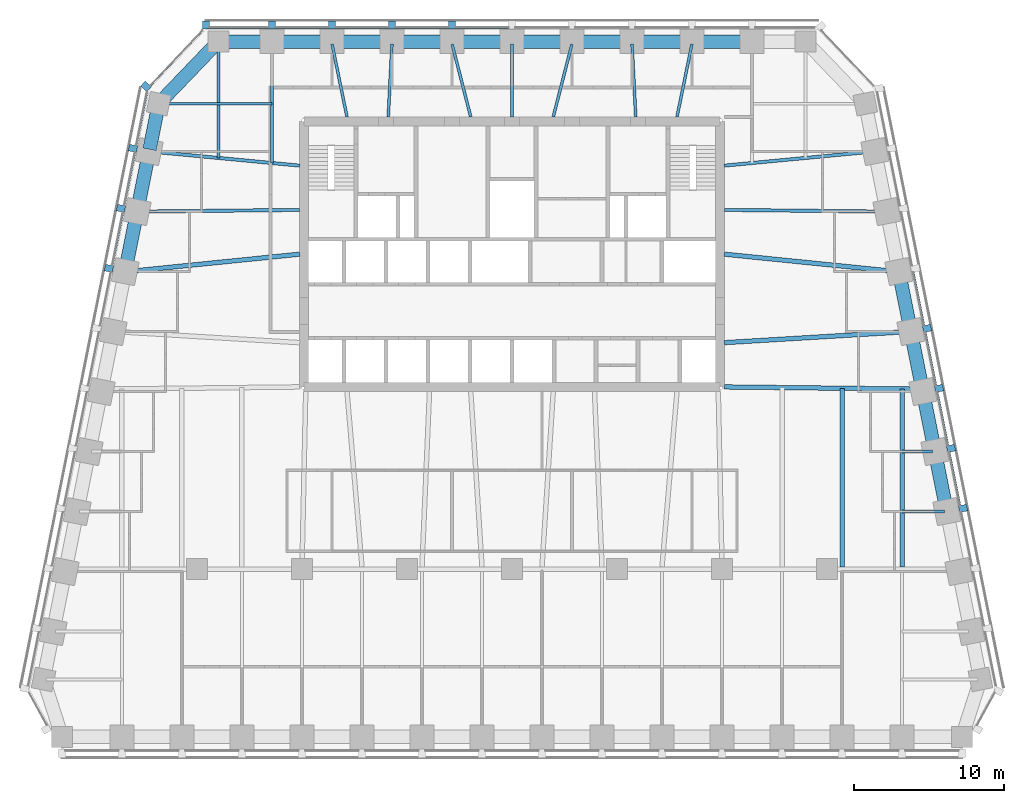
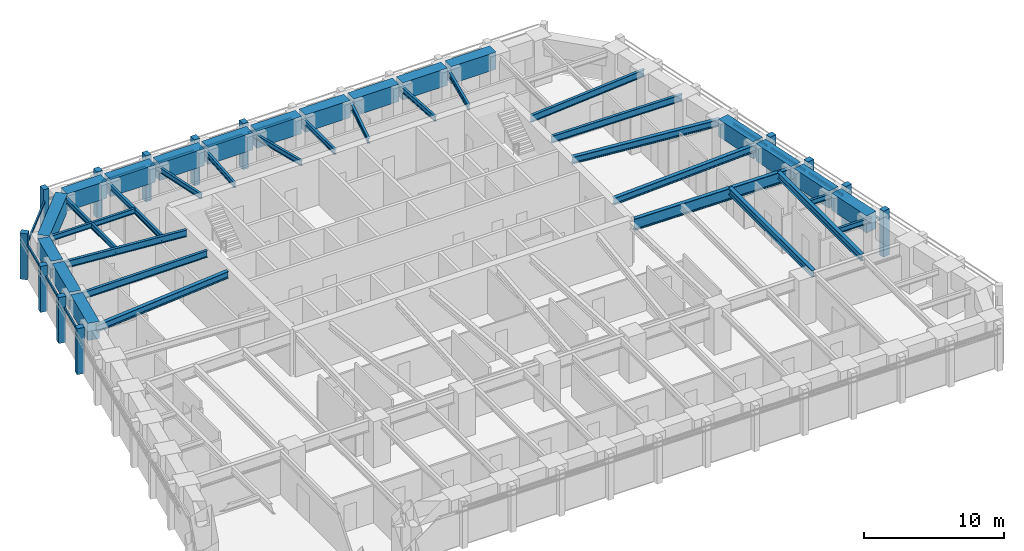
# One storey, part 3 of 11: 39 beams, 26 members, 4 elements without a shape of their own.
"""IFC4 building model written with IfcOpenShell, lengths in metres."""

from ifc_helpers import new_model, si_unit, direction, frame, origin, origin_2d, place, context, subcontext, project, spatial, rectangle, i_section, extrude, material, material_profile, profile_set, type_object, element, aggregate, save


model = new_model("IFC4")

# Units and contexts
model_context = context("Model", 3, precision=1e-05, world=origin(), true_north=direction((0.0, 1.0)))
body_context = subcontext(model_context, "Body", "Model", "MODEL_VIEW")
ifc_project = project(units=[si_unit("LENGTHUNIT", "METRE"), si_unit("AREAUNIT", "SQUARE_METRE"), si_unit("VOLUMEUNIT", "CUBIC_METRE"), si_unit("PLANEANGLEUNIT", "RADIAN"), si_unit("MASSUNIT", "GRAM", prefix="KILO")], contexts=[model_context])

# Site, building, storey
site_placement = place(None, origin())
site = spatial("IfcSite", under=ifc_project, at=site_placement, CompositionType="ELEMENT")
building_placement = place(site_placement, origin())
building = spatial("IfcBuilding", under=site, at=building_placement, Name="Isbrekke Arena Tower", CompositionType="ELEMENT")
storey_placement = place(building_placement, frame((0.0, 0.0, 210.0)))
storey = spatial("IfcBuildingStorey", under=building, at=storey_placement, Name="L48", CompositionType="ELEMENT", Elevation=210.0)

# Beams
ifc_material_1 = material(Name="Steel S355", Category="steel")
ifc_material_profile_1 = material_profile(ifc_material_1, i_section(OverallWidth=0.219970703125, OverallDepth=0.60009765625, WebThickness=0.011962890625, FlangeThickness=0.01904296875, FilletRadius=0.02392578125, at=origin_2d()), Name="IPE 600")
ifc_profile_set_1 = profile_set([ifc_material_profile_1], Name="Steel S355")
beam_type_1 = type_object("IfcBeamType", Name="B1 IPE 600", PredefinedType="BEAM", material=ifc_profile_set_1)
beam_1_placement = place(storey_placement, frame((24.83984375, 17.838134765625, 3.550048828125), z_axis=(-0.999945299061, 0.010459392202, 0.0), x_axis=(-0.010459392202, -0.999945299061, 0.0)))
element("IfcBeam", 1, at=beam_1_placement, inside=storey, type_object=beam_type_1, Name="B1 beam E-E09 L48", PredefinedType="BEAM", context=body_context, shape_type="SweptSolid", body=[
    extrude(i_section(OverallWidth=0.219970703125, OverallDepth=0.60009765625, WebThickness=0.011962890625, FlangeThickness=0.01904296875, FilletRadius=0.02392578125, at=origin_2d()), origin(), (0.0, 0.0, 1.0), 10.6904296875),
])
for number, where, z_axis, x_axis, name in (
    (2, (24.03076171875, 21.837158203125, 3.550048828125), (-0.99553133081, -0.094431823952, 0.0), (0.094431823952, -0.99553133081, 0.0), "B1 beam E-E10 L48"),
    (3, (-24.03076171875, 21.837158203125, 3.550048828125), (0.99553133081, -0.094431823952, 0.0), (0.094431823952, 0.99553133081, 0.0), "B1 beam E-W02 L48"),
):
    element("IfcBeam", number, at=place(storey_placement, frame(where, z_axis=z_axis, x_axis=x_axis)), inside=storey, type_object=beam_type_1, Name=name, PredefinedType="BEAM", context=body_context, shape_type="SweptSolid", body=[
        extrude(i_section(OverallWidth=0.219970703125, OverallDepth=0.60009765625, WebThickness=0.011962890625, FlangeThickness=0.01904296875, FilletRadius=0.02392578125, at=origin_2d()), origin(), (0.0, 0.0, 1.0), 9.92529296875),
    ])
beam_2_placement = place(storey_placement, frame((-24.83984375, 17.838134765625, 3.550048828125), z_axis=(0.999945299061, 0.010459392202, 0.0), x_axis=(-0.010459392202, 0.999945299061, 0.0)))
element("IfcBeam", 4, at=beam_2_placement, inside=storey, type_object=beam_type_1, Name="B1 beam E-W03 L48", PredefinedType="BEAM", context=body_context, shape_type="SweptSolid", body=[
    extrude(i_section(OverallWidth=0.219970703125, OverallDepth=0.60009765625, WebThickness=0.011962890625, FlangeThickness=0.01904296875, FilletRadius=0.02392578125, at=origin_2d()), origin(), (0.0, 0.0, 1.0), 10.6904296875),
])
ifc_material_2 = material(Name="Steel S355", Category="steel")
ifc_material_profile_2 = material_profile(ifc_material_2, i_section(OverallWidth=0.18994140625, OverallDepth=0.449951171875, WebThickness=0.009521484375, FlangeThickness=0.0146484375, FilletRadius=0.02099609375, at=origin_2d()), Name="IPE 450")
ifc_profile_set_2 = profile_set([ifc_material_profile_2], Name="Steel S355")
beam_type_2 = type_object("IfcBeamType", Name="B2 IPE 450", PredefinedType="BEAM", material=ifc_profile_set_2)
beam_3_placement = place(storey_placement, frame((28.841064453125, -2.161865234375, 3.625), z_axis=(-1.0, 0.0, 0.0), x_axis=(0.0, -1.0, 0.0)))
element("IfcBeam", 5, at=beam_3_placement, inside=storey, type_object=beam_type_2, Name="B2 beam E-E04 L48", PredefinedType="BEAM", context=body_context, shape_type="SweptSolid", body=[
    extrude(i_section(OverallWidth=0.18994140625, OverallDepth=0.449951171875, WebThickness=0.009521484375, FlangeThickness=0.0146484375, FilletRadius=0.02099609375, at=origin_2d()), origin(), (0.0, 0.0, 1.0), 2.841064453125),
])
beam_4_placement = place(storey_placement, frame((28.041015625, 1.838134765625, 3.625), z_axis=(-1.0, 0.0, 0.0), x_axis=(0.0, -1.0, 0.0)))
element("IfcBeam", 6, at=beam_4_placement, inside=storey, type_object=beam_type_2, Name="B2 beam E-E05 L48", PredefinedType="BEAM", context=body_context, shape_type="SweptSolid", body=[
    extrude(i_section(OverallWidth=0.18994140625, OverallDepth=0.449951171875, WebThickness=0.009521484375, FlangeThickness=0.0146484375, FilletRadius=0.02099609375, at=origin_2d()), origin(), (0.0, 0.0, 1.0), 2.041015625),
])
beam_5_placement = place(storey_placement, frame((-23.40283203125, 25.029296875, 3.625), z_axis=(1.0, 0.0, 0.0), x_axis=(0.0, 1.0, 0.0)))
element("IfcBeam", 7, at=beam_5_placement, inside=storey, type_object=beam_type_2, Name="B2 beam E-W01 L48", PredefinedType="BEAM", context=body_context, shape_type="SweptSolid", body=[
    extrude(i_section(OverallWidth=0.18994140625, OverallDepth=0.449951171875, WebThickness=0.009521484375, FlangeThickness=0.0146484375, FilletRadius=0.02099609375, at=origin_2d()), origin(), (0.0, 0.0, 1.0), 7.40283203125),
])
ifc_material_3 = material(Name="Steel S355", Category="steel")
ifc_material_profile_3 = material_profile(ifc_material_3, i_section(OverallWidth=0.18994140625, OverallDepth=0.449951171875, WebThickness=0.009521484375, FlangeThickness=0.0146484375, FilletRadius=0.02099609375, at=origin_2d()), Name="IPE 450")
ifc_profile_set_3 = profile_set([ifc_material_profile_3], Name="Steel S355")
beam_type_3 = type_object("IfcBeamType", Name="B3 IPE 450", PredefinedType="BEAM", material=ifc_profile_set_3)
beam_6_placement = place(storey_placement, frame((-16.0, 29.02490234375, 3.625), z_axis=(0.0, -1.0, 0.0), x_axis=(1.0, 0.0, 0.0)))
element("IfcBeam", 8, at=beam_6_placement, inside=storey, type_object=beam_type_3, Name="B3 beam N-N10 L48", PredefinedType="BEAM", context=body_context, shape_type="SweptSolid", body=[
    extrude(i_section(OverallWidth=0.18994140625, OverallDepth=0.449951171875, WebThickness=0.009521484375, FlangeThickness=0.0146484375, FilletRadius=0.02099609375, at=origin_2d()), origin(), (0.0, 0.0, 1.0), 7.949462890625),
])
beam_7_placement = place(storey_placement, frame((-19.574951171875, 29.02490234375, 3.625), z_axis=(0.0, -1.0, 0.0), x_axis=(1.0, 0.0, 0.0)))
element("IfcBeam", 9, at=beam_7_placement, inside=storey, type_object=beam_type_3, Name="B3 beam N-N11 L48", PredefinedType="BEAM", context=body_context, shape_type="SweptSolid", body=[
    extrude(i_section(OverallWidth=0.18994140625, OverallDepth=0.449951171875, WebThickness=0.009521484375, FlangeThickness=0.0146484375, FilletRadius=0.02099609375, at=origin_2d()), origin(), (0.0, 0.0, 1.0), 7.6103515625),
])
beam_8_placement = place(storey_placement, frame((11.99609375, 29.00634765625, 3.625), z_axis=(-0.200924755878, -0.979606677435, 0.0), x_axis=(0.979606677435, -0.200924755878, 0.0)))
element("IfcBeam", 10, at=beam_8_placement, inside=storey, type_object=beam_type_3, Name="B3 beam N-N03 L48", PredefinedType="BEAM", context=body_context, shape_type="SweptSolid", body=[
    extrude(i_section(OverallWidth=0.18994140625, OverallDepth=0.449951171875, WebThickness=0.009521484375, FlangeThickness=0.0146484375, FilletRadius=0.02099609375, at=origin_2d()), origin(), (0.0, 0.0, 1.0), 4.95751953125),
])
beam_9_placement = place(storey_placement, frame((8.000244140625, 29.02001953125, 3.625), z_axis=(0.051216032312, -0.998687597817, 0.0), x_axis=(0.998687597817, 0.051216032312, 0.0)))
element("IfcBeam", 11, at=beam_9_placement, inside=storey, type_object=beam_type_3, Name="B3 beam N-N04 L48", PredefinedType="BEAM", context=body_context, shape_type="SweptSolid", body=[
    extrude(i_section(OverallWidth=0.18994140625, OverallDepth=0.449951171875, WebThickness=0.009521484375, FlangeThickness=0.0146484375, FilletRadius=0.02099609375, at=origin_2d()), origin(), (0.0, 0.0, 1.0), 4.87646484375),
])
beam_10_placement = place(storey_placement, frame((3.994140625, 29.002197265625, 3.625), z_axis=(-0.248368314686, -0.968665670012, 0.0), x_axis=(0.968665670012, -0.248368314686, 0.0)))
element("IfcBeam", 12, at=beam_10_placement, inside=storey, type_object=beam_type_3, Name="B3 beam N-N05 L48", PredefinedType="BEAM", context=body_context, shape_type="SweptSolid", body=[
    extrude(i_section(OverallWidth=0.18994140625, OverallDepth=0.449951171875, WebThickness=0.009521484375, FlangeThickness=0.0146484375, FilletRadius=0.02099609375, at=origin_2d()), origin(), (0.0, 0.0, 1.0), 5.00927734375),
])
beam_11_placement = place(storey_placement, frame((0.0, 29.02490234375, 3.625), z_axis=(0.0, -1.0, 0.0), x_axis=(1.0, 0.0, 0.0)))
element("IfcBeam", 13, at=beam_11_placement, inside=storey, type_object=beam_type_3, Name="B3 beam N-N06 L48", PredefinedType="BEAM", context=body_context, shape_type="SweptSolid", body=[
    extrude(i_section(OverallWidth=0.18994140625, OverallDepth=0.449951171875, WebThickness=0.009521484375, FlangeThickness=0.0146484375, FilletRadius=0.02099609375, at=origin_2d()), origin(), (0.0, 0.0, 1.0), 4.875),
])
beam_12_placement = place(storey_placement, frame((-3.994140625, 29.002197265625, 3.625), z_axis=(0.248368314686, -0.968665670012, 0.0), x_axis=(0.968665670012, 0.248368314686, 0.0)))
element("IfcBeam", 14, at=beam_12_placement, inside=storey, type_object=beam_type_3, Name="B3 beam N-N07 L48", PredefinedType="BEAM", context=body_context, shape_type="SweptSolid", body=[
    extrude(i_section(OverallWidth=0.18994140625, OverallDepth=0.449951171875, WebThickness=0.009521484375, FlangeThickness=0.0146484375, FilletRadius=0.02099609375, at=origin_2d()), origin(), (0.0, 0.0, 1.0), 5.00927734375),
])
beam_13_placement = place(storey_placement, frame((-8.000244140625, 29.02001953125, 3.625), z_axis=(-0.051216032312, -0.998687597817, 0.0), x_axis=(0.998687597817, -0.051216032312, 0.0)))
element("IfcBeam", 15, at=beam_13_placement, inside=storey, type_object=beam_type_3, Name="B3 beam N-N08 L48", PredefinedType="BEAM", context=body_context, shape_type="SweptSolid", body=[
    extrude(i_section(OverallWidth=0.18994140625, OverallDepth=0.449951171875, WebThickness=0.009521484375, FlangeThickness=0.0146484375, FilletRadius=0.02099609375, at=origin_2d()), origin(), (0.0, 0.0, 1.0), 4.87646484375),
])
beam_14_placement = place(storey_placement, frame((-11.99609375, 29.00634765625, 3.625), z_axis=(0.200924755878, -0.979606677435, 0.0), x_axis=(0.979606677435, 0.200924755878, 0.0)))
element("IfcBeam", 16, at=beam_14_placement, inside=storey, type_object=beam_type_3, Name="B3 beam N-N09 L48", PredefinedType="BEAM", context=body_context, shape_type="SweptSolid", body=[
    extrude(i_section(OverallWidth=0.18994140625, OverallDepth=0.449951171875, WebThickness=0.009521484375, FlangeThickness=0.0146484375, FilletRadius=0.02099609375, at=origin_2d()), origin(), (0.0, 0.0, 1.0), 4.95751953125),
])
ifc_material_4 = material(Name="Steel S355", Category="steel")
ifc_material_profile_4 = material_profile(ifc_material_4, i_section(OverallWidth=0.300048828125, OverallDepth=0.60009765625, WebThickness=0.015380859375, FlangeThickness=0.030029296875, FilletRadius=0.027099609375, at=origin_2d()), Name="HEB 600")
ifc_profile_set_4 = profile_set([ifc_material_profile_4], Name="Steel S355")
beam_type_4 = type_object("IfcBeamType", Name="B7 HEB 600", PredefinedType="BEAM", material=ifc_profile_set_4)
beam_15_placement = place(storey_placement, frame((22.0, -5.84912109375, 3.550048828125), z_axis=(0.0, 1.0, 0.0), x_axis=(-1.0, 0.0, 0.0)))
element("IfcBeam", 17, at=beam_15_placement, inside=storey, type_object=beam_type_4, Name="B7 beam C-M13 L48", PredefinedType="BEAM", context=body_context, shape_type="SweptSolid", body=[
    extrude(i_section(OverallWidth=0.300048828125, OverallDepth=0.60009765625, WebThickness=0.015380859375, FlangeThickness=0.030029296875, FilletRadius=0.027099609375, at=origin_2d()), origin(), (0.0, 0.0, 1.0), 11.91015625),
])
beam_16_placement = place(storey_placement, frame((26.0, -5.84912109375, 3.550048828125), z_axis=(0.0, 1.0, 0.0), x_axis=(-1.0, 0.0, 0.0)))
element("IfcBeam", 18, at=beam_16_placement, inside=storey, type_object=beam_type_4, Name="B7 beam C-M14 L48", PredefinedType="BEAM", context=body_context, shape_type="SweptSolid", body=[
    extrude(i_section(OverallWidth=0.300048828125, OverallDepth=0.60009765625, WebThickness=0.015380859375, FlangeThickness=0.030029296875, FilletRadius=0.027099609375, at=origin_2d()), origin(), (0.0, 0.0, 1.0), 11.864990234375),
])
beam_17_placement = place(storey_placement, frame((26.43212890625, 9.837646484375, 3.550048828125), z_axis=(-0.998201854902, -0.059942112659, 0.0), x_axis=(0.059942112659, -0.998201854902, 0.0)))
element("IfcBeam", 19, at=beam_17_placement, inside=storey, type_object=beam_type_4, Name="B7 beam E-E07 L48", PredefinedType="BEAM", context=body_context, shape_type="SweptSolid", body=[
    extrude(i_section(OverallWidth=0.300048828125, OverallDepth=0.60009765625, WebThickness=0.015380859375, FlangeThickness=0.030029296875, FilletRadius=0.027099609375, at=origin_2d()), origin(), (0.0, 0.0, 1.0), 12.304443359375),
])
for number, where, z_axis, x_axis, name in (
    (20, (25.6259765625, 13.83984375, 3.550048828125), (-0.994928891111, 0.100580821396, 0.0), (-0.100580821396, -0.994928891111, 0.0), "B7 beam E-E08 L48"),
    (21, (-25.6259765625, 13.83984375, 3.550048828125), (0.994928891111, 0.100580821396, 0.0), (-0.100580821396, 0.994928891111, 0.0), "B7 beam E-W04 L48"),
):
    element("IfcBeam", number, at=place(storey_placement, frame(where, z_axis=z_axis, x_axis=x_axis)), inside=storey, type_object=beam_type_4, Name=name, PredefinedType="BEAM", context=body_context, shape_type="SweptSolid", body=[
        extrude(i_section(OverallWidth=0.300048828125, OverallDepth=0.60009765625, WebThickness=0.015380859375, FlangeThickness=0.030029296875, FilletRadius=0.027099609375, at=origin_2d()), origin(), (0.0, 0.0, 1.0), 11.53466796875),
    ])

# Curtain wall, members
ifc_material_5 = material(Name="Glazed aluminium curtain wall", Category="aluminium")
curtain_wall_type = type_object("IfcCurtainWallType", Name="CWH TOWER CURTAIN WALL HIGH ZONE", PredefinedType="USERDEFINED", material=ifc_material_5)
curtain_wall_1_placement = place(storey_placement, origin())
curtain_wall_1 = element("IfcCurtainWall", 22, at=curtain_wall_1_placement, inside=storey, type_object=curtain_wall_type, Name="CWH curtain wall L48-E", ObjectType="TOWER CURTAIN WALL HIGH ZONE", PredefinedType="USERDEFINED")
ifc_material_6 = material(Name="Aluminium mullion, pale brick slip cladding", Category="masonry")
ifc_material_profile_5 = material_profile(ifc_material_6, rectangle(XDim=0.449951171875, YDim=0.550048828125, at=origin_2d()), Name="PIER 450X550")
ifc_profile_set_5 = profile_set([ifc_material_profile_5], Name="Aluminium mullion, pale brick slip cladding")
member_type_1 = type_object("IfcMemberType", Name="CWH-M PIER MULLION 450 x 550", PredefinedType="MULLION", material=ifc_profile_set_5)
member_1_placement = place(storey_placement, frame((30.069580078125, -1.946044921875, 0.0), z_axis=(0.0, 0.0, 1.0), x_axis=(-0.196116135138, 0.980580675691, 0.0)))
member_1 = element("IfcMember", 23, at=member_1_placement, type_object=member_type_1, Name="CWH-M mullion 3", PredefinedType="MULLION", context=body_context, shape_type="SweptSolid", body=[
    extrude(rectangle(XDim=0.449951171875, YDim=0.550048828125, at=origin_2d()), origin(), (0.0, 0.0, 1.0), 4.0),
])
member_2_placement = place(storey_placement, frame((29.269775390625, 2.053955078125, 0.0), z_axis=(0.0, 0.0, 1.0), x_axis=(-0.196116135138, 0.980580675691, 0.0)))
member_2 = element("IfcMember", 24, at=member_2_placement, type_object=member_type_1, Name="CWH-M mullion 4", PredefinedType="MULLION", context=body_context, shape_type="SweptSolid", body=[
    extrude(rectangle(XDim=0.449951171875, YDim=0.550048828125, at=origin_2d()), origin(), (0.0, 0.0, 1.0), 4.0),
])
member_3_placement = place(storey_placement, frame((28.4697265625, 6.053955078125, 0.0), z_axis=(0.0, 0.0, 1.0), x_axis=(-0.196116135138, 0.980580675691, 0.0)))
member_3 = element("IfcMember", 25, at=member_3_placement, type_object=member_type_1, Name="CWH-M mullion 5", PredefinedType="MULLION", context=body_context, shape_type="SweptSolid", body=[
    extrude(rectangle(XDim=0.449951171875, YDim=0.550048828125, at=origin_2d()), origin(), (0.0, 0.0, 1.0), 4.0),
])
member_4_placement = place(storey_placement, frame((27.669677734375, 10.053955078125, 0.0), z_axis=(0.0, 0.0, 1.0), x_axis=(-0.196116135138, 0.980580675691, 0.0)))
member_4 = element("IfcMember", 26, at=member_4_placement, type_object=member_type_1, Name="CWH-M mullion 6", PredefinedType="MULLION", context=body_context, shape_type="SweptSolid", body=[
    extrude(rectangle(XDim=0.449951171875, YDim=0.550048828125, at=origin_2d()), origin(), (0.0, 0.0, 1.0), 4.0),
])

curtain_wall_2_placement = place(storey_placement, origin())
curtain_wall_2 = element("IfcCurtainWall", 27, at=curtain_wall_2_placement, inside=storey, type_object=curtain_wall_type, Name="CWH curtain wall L48-N", ObjectType="TOWER CURTAIN WALL HIGH ZONE", PredefinedType="USERDEFINED")
member_5_placement = place(storey_placement, frame((-4.0, 30.27490234375, 0.0), z_axis=(0.0, 0.0, 1.0), x_axis=(-1.0, 0.0, 0.0)))
member_5 = element("IfcMember", 28, at=member_5_placement, type_object=member_type_1, Name="CWH-M mullion 6", PredefinedType="MULLION", context=body_context, shape_type="SweptSolid", body=[
    extrude(rectangle(XDim=0.449951171875, YDim=0.550048828125, at=origin_2d()), origin(), (0.0, 0.0, 1.0), 4.0),
])
member_6_placement = place(storey_placement, frame((-8.0, 30.27490234375, 0.0), z_axis=(0.0, 0.0, 1.0), x_axis=(-1.0, 0.0, 0.0)))
member_6 = element("IfcMember", 29, at=member_6_placement, type_object=member_type_1, Name="CWH-M mullion 7", PredefinedType="MULLION", context=body_context, shape_type="SweptSolid", body=[
    extrude(rectangle(XDim=0.449951171875, YDim=0.550048828125, at=origin_2d()), origin(), (0.0, 0.0, 1.0), 4.0),
])
member_7_placement = place(storey_placement, frame((-12.0, 30.27490234375, 0.0), z_axis=(0.0, 0.0, 1.0), x_axis=(-1.0, 0.0, 0.0)))
member_7 = element("IfcMember", 30, at=member_7_placement, type_object=member_type_1, Name="CWH-M mullion 8", PredefinedType="MULLION", context=body_context, shape_type="SweptSolid", body=[
    extrude(rectangle(XDim=0.449951171875, YDim=0.550048828125, at=origin_2d()), origin(), (0.0, 0.0, 1.0), 4.0),
])
member_8_placement = place(storey_placement, frame((-16.0, 30.27490234375, 0.0), z_axis=(0.0, 0.0, 1.0), x_axis=(-1.0, 0.0, 0.0)))
member_8 = element("IfcMember", 31, at=member_8_placement, type_object=member_type_1, Name="CWH-M mullion 9", PredefinedType="MULLION", context=body_context, shape_type="SweptSolid", body=[
    extrude(rectangle(XDim=0.449951171875, YDim=0.550048828125, at=origin_2d()), origin(), (0.0, 0.0, 1.0), 4.0),
])
member_9_placement = place(storey_placement, frame((-20.39990234375, 30.27490234375, 0.0), z_axis=(0.0, 0.0, 1.0), x_axis=(-1.0, 0.0, 0.0)))
member_9 = element("IfcMember", 32, at=member_9_placement, type_object=member_type_1, Name="CWH-M mullion 10", PredefinedType="MULLION", context=body_context, shape_type="SweptSolid", body=[
    extrude(rectangle(XDim=0.449951171875, YDim=0.550048828125, at=origin_2d()), origin(), (0.0, 0.0, 1.0), 4.0),
])

# Curtain wall, member
curtain_wall_3_placement = place(storey_placement, origin())
curtain_wall_3 = element("IfcCurtainWall", 33, at=curtain_wall_3_placement, inside=storey, type_object=curtain_wall_type, Name="CWH curtain wall L48-NW", ObjectType="TOWER CURTAIN WALL HIGH ZONE", PredefinedType="USERDEFINED")
member_10_placement = place(storey_placement, frame((-24.3994140625, 26.189453125, 0.0), z_axis=(0.0, 0.0, 1.0), x_axis=(-0.68874946192, -0.72499943359, 0.0)))
member_10 = element("IfcMember", 34, at=member_10_placement, type_object=member_type_1, Name="CWH-M mullion 1", PredefinedType="MULLION", context=body_context, shape_type="SweptSolid", body=[
    extrude(rectangle(XDim=0.449951171875, YDim=0.550048828125, at=origin_2d()), origin(), (0.0, 0.0, 1.0), 4.0),
])

# Curtain wall, members
curtain_wall_4_placement = place(storey_placement, origin())
curtain_wall_4 = element("IfcCurtainWall", 35, at=curtain_wall_4_placement, inside=storey, type_object=curtain_wall_type, Name="CWH curtain wall L48-W", ObjectType="TOWER CURTAIN WALL HIGH ZONE", PredefinedType="USERDEFINED")
member_11_placement = place(storey_placement, frame((-25.269775390625, 22.053955078125, 0.0), z_axis=(0.0, 0.0, 1.0), x_axis=(-0.196116135138, -0.980580675691, 0.0)))
member_11 = element("IfcMember", 36, at=member_11_placement, type_object=member_type_1, Name="CWH-M mullion 1", PredefinedType="MULLION", context=body_context, shape_type="SweptSolid", body=[
    extrude(rectangle(XDim=0.449951171875, YDim=0.550048828125, at=origin_2d()), origin(), (0.0, 0.0, 1.0), 4.0),
])
member_12_placement = place(storey_placement, frame((-26.069580078125, 18.053955078125, 0.0), z_axis=(0.0, 0.0, 1.0), x_axis=(-0.196116135138, -0.980580675691, 0.0)))
member_12 = element("IfcMember", 37, at=member_12_placement, type_object=member_type_1, Name="CWH-M mullion 2", PredefinedType="MULLION", context=body_context, shape_type="SweptSolid", body=[
    extrude(rectangle(XDim=0.449951171875, YDim=0.550048828125, at=origin_2d()), origin(), (0.0, 0.0, 1.0), 4.0),
])
member_13_placement = place(storey_placement, frame((-26.86962890625, 14.053955078125, 0.0), z_axis=(0.0, 0.0, 1.0), x_axis=(-0.196116135138, -0.980580675691, 0.0)))
member_13 = element("IfcMember", 38, at=member_13_placement, type_object=member_type_1, Name="CWH-M mullion 3", PredefinedType="MULLION", context=body_context, shape_type="SweptSolid", body=[
    extrude(rectangle(XDim=0.449951171875, YDim=0.550048828125, at=origin_2d()), origin(), (0.0, 0.0, 1.0), 4.0),
])

# Member
ifc_material_7 = material(Name="Aluminium transom", Category="aluminium")
ifc_material_profile_6 = material_profile(ifc_material_7, rectangle(XDim=0.1201171875, YDim=0.199951171875, at=origin_2d()), Name="TRANSOM 120X200")
ifc_profile_set_6 = profile_set([ifc_material_profile_6], Name="Aluminium transom")
member_type_2 = type_object("IfcMemberType", Name="CWH-T TRANSOM 120 x 200", PredefinedType="USERDEFINED", material=ifc_profile_set_6)
member_14_placement = place(storey_placement, frame((29.85400390625, -1.759765625, 3.0), z_axis=(-0.196154943734, 0.980572913173, 0.0), x_axis=(-0.980572913173, -0.196154943734, 0.0)))
member_14 = element("IfcMember", 39, at=member_14_placement, type_object=member_type_2, Name="CWH-T transom 4", ObjectType="TRANSOM", PredefinedType="USERDEFINED", context=body_context, shape_type="SweptSolid", body=[
    extrude(rectangle(XDim=0.1201171875, YDim=0.199951171875, at=origin_2d()), origin(), (0.0, 0.0, 1.0), 3.62939453125),
])

member_15_placement = place(storey_placement, frame((29.053955078125, 2.240234375, 3.0), z_axis=(-0.196090262229, 0.980585849918, 0.0), x_axis=(-0.980585849918, -0.196090262229, 0.0)))
member_15 = element("IfcMember", 40, at=member_15_placement, type_object=member_type_2, Name="CWH-T transom 5", ObjectType="TRANSOM", PredefinedType="USERDEFINED", context=body_context, shape_type="SweptSolid", body=[
    extrude(rectangle(XDim=0.1201171875, YDim=0.199951171875, at=origin_2d()), origin(), (0.0, 0.0, 1.0), 3.62939453125),
])

member_16_placement = place(storey_placement, frame((28.25390625, 6.240234375, 3.0), z_axis=(-0.196090262229, 0.980585849918, 0.0), x_axis=(-0.980585849918, -0.196090262229, 0.0)))
member_16 = element("IfcMember", 41, at=member_16_placement, type_object=member_type_2, Name="CWH-T transom 6", ObjectType="TRANSOM", PredefinedType="USERDEFINED", context=body_context, shape_type="SweptSolid", body=[
    extrude(rectangle(XDim=0.1201171875, YDim=0.199951171875, at=origin_2d()), origin(), (0.0, 0.0, 1.0), 3.62939453125),
])

member_17_placement = place(storey_placement, frame((27.453857421875, 10.240234375, 3.0), z_axis=(-0.196090262229, 0.980585849918, 0.0), x_axis=(-0.980585849918, -0.196090262229, 0.0)))
member_17 = element("IfcMember", 42, at=member_17_placement, type_object=member_type_2, Name="CWH-T transom 7", ObjectType="TRANSOM", PredefinedType="USERDEFINED", context=body_context, shape_type="SweptSolid", body=[
    extrude(rectangle(XDim=0.1201171875, YDim=0.199951171875, at=origin_2d()), origin(), (0.0, 0.0, 1.0), 3.62939453125),
])

aggregate(curtain_wall_1, [member_1, member_2, member_3, member_4, member_14, member_15, member_16, member_17])

member_18_placement = place(storey_placement, frame((-0.22509765625, 30.10009765625, 3.0), z_axis=(-1.0, 0.0, 0.0), x_axis=(0.0, -1.0, 0.0)))
member_18 = element("IfcMember", 43, at=member_18_placement, type_object=member_type_2, Name="CWH-T transom 6", ObjectType="TRANSOM", PredefinedType="USERDEFINED", context=body_context, shape_type="SweptSolid", body=[
    extrude(rectangle(XDim=0.1201171875, YDim=0.199951171875, at=origin_2d()), origin(), (0.0, 0.0, 1.0), 3.5498046875),
])

member_19_placement = place(storey_placement, frame((-4.22509765625, 30.10009765625, 3.0), z_axis=(-1.0, 0.0, 0.0), x_axis=(0.0, -1.0, 0.0)))
member_19 = element("IfcMember", 44, at=member_19_placement, type_object=member_type_2, Name="CWH-T transom 7", ObjectType="TRANSOM", PredefinedType="USERDEFINED", context=body_context, shape_type="SweptSolid", body=[
    extrude(rectangle(XDim=0.1201171875, YDim=0.199951171875, at=origin_2d()), origin(), (0.0, 0.0, 1.0), 3.5498046875),
])

member_20_placement = place(storey_placement, frame((-8.22509765625, 30.10009765625, 3.0), z_axis=(-1.0, 0.0, 0.0), x_axis=(0.0, -1.0, 0.0)))
member_20 = element("IfcMember", 45, at=member_20_placement, type_object=member_type_2, Name="CWH-T transom 8", ObjectType="TRANSOM", PredefinedType="USERDEFINED", context=body_context, shape_type="SweptSolid", body=[
    extrude(rectangle(XDim=0.1201171875, YDim=0.199951171875, at=origin_2d()), origin(), (0.0, 0.0, 1.0), 3.5498046875),
])

member_21_placement = place(storey_placement, frame((-12.22509765625, 30.10009765625, 3.0), z_axis=(-1.0, 0.0, 0.0), x_axis=(0.0, -1.0, 0.0)))
member_21 = element("IfcMember", 46, at=member_21_placement, type_object=member_type_2, Name="CWH-T transom 9", ObjectType="TRANSOM", PredefinedType="USERDEFINED", context=body_context, shape_type="SweptSolid", body=[
    extrude(rectangle(XDim=0.1201171875, YDim=0.199951171875, at=origin_2d()), origin(), (0.0, 0.0, 1.0), 3.5498046875),
])

member_22_placement = place(storey_placement, frame((-16.22509765625, 30.10009765625, 3.0), z_axis=(-1.0, 0.0, 0.0), x_axis=(0.0, -1.0, 0.0)))
member_22 = element("IfcMember", 47, at=member_22_placement, type_object=member_type_2, Name="CWH-T transom 10", ObjectType="TRANSOM", PredefinedType="USERDEFINED", context=body_context, shape_type="SweptSolid", body=[
    extrude(rectangle(XDim=0.1201171875, YDim=0.199951171875, at=origin_2d()), origin(), (0.0, 0.0, 1.0), 3.949951171875),
])

aggregate(curtain_wall_2, [member_5, member_6, member_7, member_8, member_9, member_18, member_19, member_20, member_21, member_22])

member_23_placement = place(storey_placement, frame((-20.62744140625, 29.90576171875, 3.0), z_axis=(-0.688734266994, -0.725013868466, 0.0), x_axis=(0.725013868466, -0.688734266994, 0.0)))
member_23 = element("IfcMember", 48, at=member_23_placement, type_object=member_type_2, Name="CWH-T transom 1", ObjectType="TRANSOM", PredefinedType="USERDEFINED", context=body_context, shape_type="SweptSolid", body=[
    extrude(rectangle(XDim=0.1201171875, YDim=0.199951171875, at=origin_2d()), origin(), (0.0, 0.0, 1.0), 5.067138671875),
])

aggregate(curtain_wall_3, [member_10, member_23])

member_24_placement = place(storey_placement, frame((-24.34228515625, 25.799072265625, 3.0), z_axis=(-0.196090262229, -0.980585849918, 0.0), x_axis=(0.980585849918, -0.196090262229, 0.0)))
member_24 = element("IfcMember", 49, at=member_24_placement, type_object=member_type_2, Name="CWH-T transom 1", ObjectType="TRANSOM", PredefinedType="USERDEFINED", context=body_context, shape_type="SweptSolid", body=[
    extrude(rectangle(XDim=0.1201171875, YDim=0.199951171875, at=origin_2d()), origin(), (0.0, 0.0, 1.0), 3.62939453125),
])

member_25_placement = place(storey_placement, frame((-25.14208984375, 21.799072265625, 3.0), z_axis=(-0.196154943734, -0.980572913173, 0.0), x_axis=(0.980572913173, -0.196154943734, 0.0)))
member_25 = element("IfcMember", 50, at=member_25_placement, type_object=member_type_2, Name="CWH-T transom 2", ObjectType="TRANSOM", PredefinedType="USERDEFINED", context=body_context, shape_type="SweptSolid", body=[
    extrude(rectangle(XDim=0.1201171875, YDim=0.199951171875, at=origin_2d()), origin(), (0.0, 0.0, 1.0), 3.62939453125),
])

member_26_placement = place(storey_placement, frame((-25.942138671875, 17.799072265625, 3.0), z_axis=(-0.196154943734, -0.980572913173, 0.0), x_axis=(0.980572913173, -0.196154943734, 0.0)))
member_26 = element("IfcMember", 51, at=member_26_placement, type_object=member_type_2, Name="CWH-T transom 3", ObjectType="TRANSOM", PredefinedType="USERDEFINED", context=body_context, shape_type="SweptSolid", body=[
    extrude(rectangle(XDim=0.1201171875, YDim=0.199951171875, at=origin_2d()), origin(), (0.0, 0.0, 1.0), 3.62939453125),
])

aggregate(curtain_wall_4, [member_11, member_12, member_13, member_24, member_25, member_26])

# Beams
ifc_material_8 = material(Name="Steel S355", Category="steel")
ifc_material_profile_7 = material_profile(ifc_material_8, i_section(OverallWidth=0.302001953125, OverallDepth=1.008056640625, WebThickness=0.02099609375, FlangeThickness=0.0400390625, FilletRadius=0.030029296875, at=origin_2d()), Name="HEM 1000")
ifc_profile_set_7 = profile_set([ifc_material_profile_7], Name="Steel S355")
beam_type_5 = type_object("IfcBeamType", Name="G2 HEM 1000", PredefinedType="BEAM", material=ifc_profile_set_7)
beam_18_placement = place(storey_placement, frame((14.14990234375, 6.14990234375, 3.345947265625), z_axis=(0.999935908299, -0.011321629528, 0.0), x_axis=(0.011321629528, 0.999935908299, 0.0)))
element("IfcBeam", 52, at=beam_18_placement, inside=storey, type_object=beam_type_5, Name="G2 beam G2-E L48", PredefinedType="BEAM", context=body_context, shape_type="SweptSolid", body=[
    extrude(i_section(OverallWidth=0.302001953125, OverallDepth=1.008056640625, WebThickness=0.02099609375, FlangeThickness=0.0400390625, FilletRadius=0.030029296875, at=origin_2d()), origin(), (0.0, 0.0, 1.0), 13.240234375),
])
ifc_material_9 = material(Name="Concrete B65 (C65/80)", Category="concrete")
ifc_material_profile_8 = material_profile(ifc_material_9, rectangle(XDim=0.89990234375, YDim=1.5, at=origin_2d()), Name="RC 900x1500")
ifc_profile_set_8 = profile_set([ifc_material_profile_8], Name="Concrete B65 (C65/80)")
beam_type_6 = type_object("IfcBeamType", Name="SB3 RC 900 x 1500", PredefinedType="SPANDREL", material=ifc_profile_set_8)
for number, where, z_axis, x_axis, name in (
    (53, (28.961669921875, -2.0146484375, 3.25), (-0.196128558387, 0.980578190959, 0.0), (-0.980578190959, -0.196128558387, 0.0), "SB3 spandrel E04-E05 L48"),
    (54, (28.16162109375, 1.9853515625, 3.25), (-0.196128558387, 0.980578190959, 0.0), (-0.980578190959, -0.196128558387, 0.0), "SB3 spandrel E05-E06 L48"),
    (55, (27.361572265625, 5.9853515625, 3.25), (-0.196128558387, 0.980578190959, 0.0), (-0.980578190959, -0.196128558387, 0.0), "SB3 spandrel E06-E07 L48"),
):
    element("IfcBeam", number, at=place(storey_placement, frame(where, z_axis=z_axis, x_axis=x_axis)), inside=storey, type_object=beam_type_6, Name=name, PredefinedType="SPANDREL", context=body_context, shape_type="SweptSolid", body=[
        extrude(rectangle(XDim=0.89990234375, YDim=1.5, at=origin_2d()), origin(), (0.0, 0.0, 1.0), 3.779296875),
    ])
beam_19_placement = place(storey_placement, frame((26.5615234375, 9.9853515625, 3.25), z_axis=(-0.1960664412, 0.980590613169, 0.0), x_axis=(-0.980590613169, -0.1960664412, 0.0)))
element("IfcBeam", 56, at=beam_19_placement, inside=storey, type_object=beam_type_6, Name="SB3 spandrel E07-E08 L48", PredefinedType="SPANDREL", context=body_context, shape_type="SweptSolid", body=[
    extrude(rectangle(XDim=0.89990234375, YDim=1.5, at=origin_2d()), origin(), (0.0, 0.0, 1.0), 3.779052734375),
])
for number, where, z_axis, x_axis, name in (
    (57, (15.85009765625, 29.175048828125, 3.25), (-1.0, 0.0, 0.0), (0.0, -1.0, 0.0), "SB3 spandrel N02-N03 L48"),
    (58, (11.85009765625, 29.175048828125, 3.25), (-1.0, 0.0, 0.0), (0.0, -1.0, 0.0), "SB3 spandrel N03-N04 L48"),
    (59, (7.85009765625, 29.175048828125, 3.25), (-1.0, 0.0, 0.0), (0.0, -1.0, 0.0), "SB3 spandrel N04-N05 L48"),
    (60, (3.85009765625, 29.175048828125, 3.25), (-1.0, 0.0, 0.0), (0.0, -1.0, 0.0), "SB3 spandrel N05-N06 L48"),
    (61, (-0.14990234375, 29.175048828125, 3.25), (-1.0, 0.0, 0.0), (0.0, -1.0, 0.0), "SB3 spandrel N06-N07 L48"),
    (62, (-4.14990234375, 29.175048828125, 3.25), (-1.0, 0.0, 0.0), (0.0, -1.0, 0.0), "SB3 spandrel N07-N08 L48"),
    (63, (-8.14990234375, 29.175048828125, 3.25), (-1.0, 0.0, 0.0), (0.0, -1.0, 0.0), "SB3 spandrel N08-N09 L48"),
    (64, (-12.14990234375, 29.175048828125, 3.25), (-1.0, 0.0, 0.0), (0.0, -1.0, 0.0), "SB3 spandrel N09-N10 L48"),
):
    element("IfcBeam", number, at=place(storey_placement, frame(where, z_axis=z_axis, x_axis=x_axis)), inside=storey, type_object=beam_type_6, Name=name, PredefinedType="SPANDREL", context=body_context, shape_type="SweptSolid", body=[
        extrude(rectangle(XDim=0.89990234375, YDim=1.5, at=origin_2d()), origin(), (0.0, 0.0, 1.0), 3.7001953125),
    ])
beam_20_placement = place(storey_placement, frame((-16.14990234375, 29.175048828125, 3.25), z_axis=(-1.0, 0.0, 0.0), x_axis=(0.0, -1.0, 0.0)))
element("IfcBeam", 65, at=beam_20_placement, inside=storey, type_object=beam_type_6, Name="SB3 spandrel N10-N11 L48", PredefinedType="SPANDREL", context=body_context, shape_type="SweptSolid", body=[
    extrude(rectangle(XDim=0.89990234375, YDim=1.5, at=origin_2d()), origin(), (0.0, 0.0, 1.0), 3.275146484375),
])
beam_21_placement = place(storey_placement, frame((-19.678955078125, 29.066650390625, 3.25), z_axis=(-0.692339547635, -0.721571861134, 0.0), x_axis=(0.721571861134, -0.692339547635, 0.0)))
element("IfcBeam", 66, at=beam_21_placement, inside=storey, type_object=beam_type_6, Name="SB3 spandrel N11-W01 L48", PredefinedType="SPANDREL", context=body_context, shape_type="SweptSolid", body=[
    extrude(rectangle(XDim=0.89990234375, YDim=1.5, at=origin_2d()), origin(), (0.0, 0.0, 1.0), 5.4453125),
])
beam_22_placement = place(storey_placement, frame((-23.582275390625, 24.882080078125, 3.25), z_axis=(-0.196116135138, -0.980580675691, 0.0), x_axis=(0.980580675691, -0.196116135138, 0.0)))
element("IfcBeam", 67, at=beam_22_placement, inside=storey, type_object=beam_type_6, Name="SB3 spandrel W01-W02 L48", PredefinedType="SPANDREL", context=body_context, shape_type="SweptSolid", body=[
    extrude(rectangle(XDim=0.89990234375, YDim=1.5, at=origin_2d()), origin(), (0.0, 0.0, 1.0), 2.9541015625),
])
for number, where, z_axis, x_axis, name in (
    (68, (-24.220458984375, 21.691162109375, 3.25), (-0.196128558387, -0.980578190959, 0.0), (0.980578190959, -0.196128558387, 0.0), "SB3 spandrel W02-W03 L48"),
    (69, (-25.0205078125, 17.691162109375, 3.25), (-0.196128558387, -0.980578190959, 0.0), (0.980578190959, -0.196128558387, 0.0), "SB3 spandrel W03-W04 L48"),
):
    element("IfcBeam", number, at=place(storey_placement, frame(where, z_axis=z_axis, x_axis=x_axis)), inside=storey, type_object=beam_type_6, Name=name, PredefinedType="SPANDREL", context=body_context, shape_type="SweptSolid", body=[
        extrude(rectangle(XDim=0.89990234375, YDim=1.5, at=origin_2d()), origin(), (0.0, 0.0, 1.0), 3.779296875),
    ])

save(model, "model.ifc")
